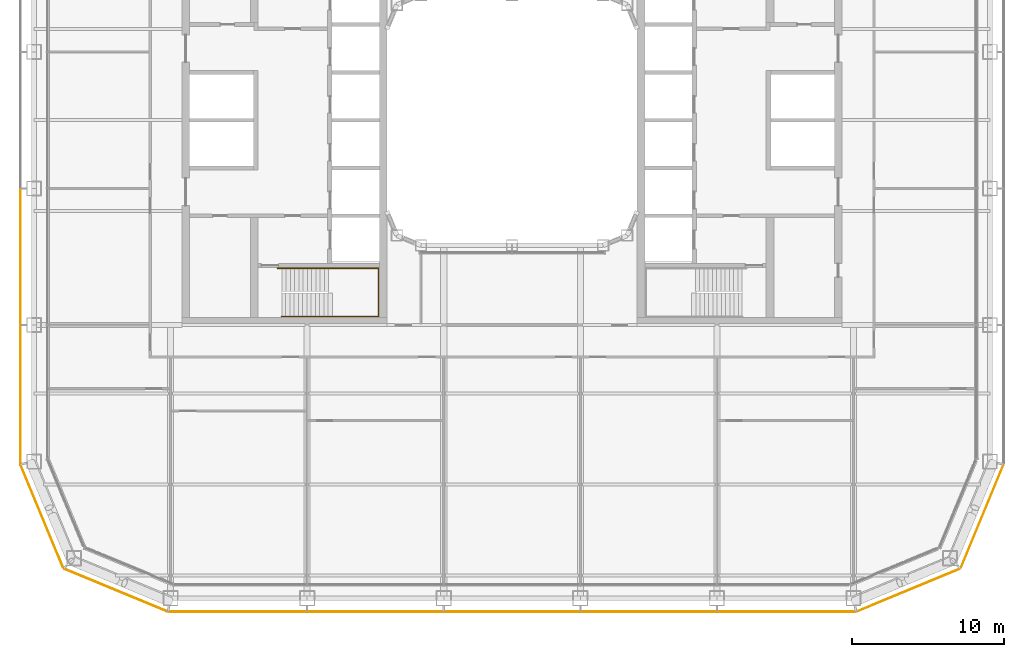
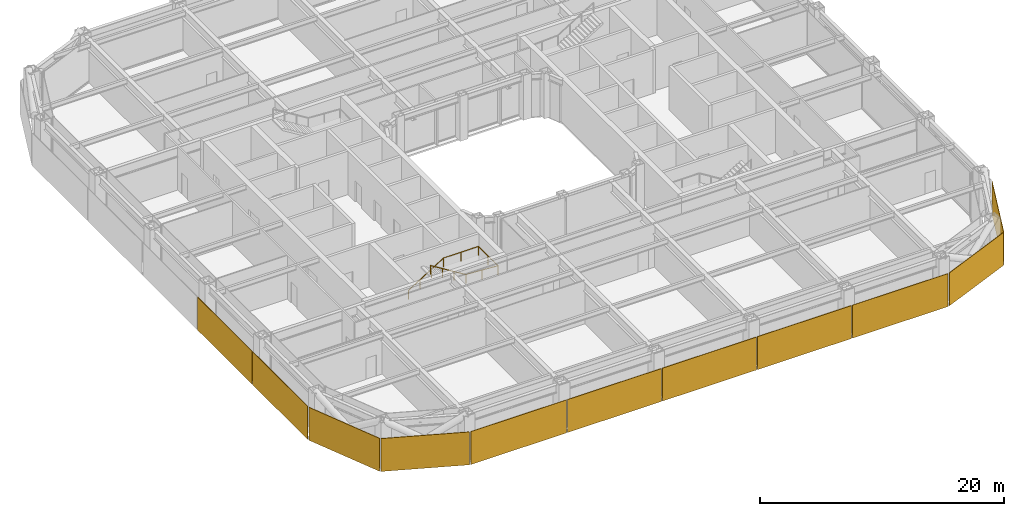
# One storey, part 21 of 25: 11 coverings, 1 railing.
"""IFC4 building model written with IfcOpenShell, lengths in metres."""

from ifc_helpers import new_model, si_unit, direction, frame, origin, origin_2d, place, context, subcontext, project, spatial, rectangle, circle, extrude, material, layer, layer_set, type_object, element, save


model = new_model("IFC4")

# Units and contexts
model_context = context("Model", 3, precision=1e-05, world=origin(), true_north=direction((0.0, 1.0)))
body_context = subcontext(model_context, "Body", "Model", "MODEL_VIEW")
ifc_project = project(units=[si_unit("LENGTHUNIT", "METRE"), si_unit("AREAUNIT", "SQUARE_METRE"), si_unit("VOLUMEUNIT", "CUBIC_METRE"), si_unit("PLANEANGLEUNIT", "RADIAN"), si_unit("MASSUNIT", "GRAM", prefix="KILO")], contexts=[model_context])

# Site, building, storey
site_placement = place(None, origin())
site = spatial("IfcSite", under=ifc_project, at=site_placement, CompositionType="ELEMENT")
building_placement = place(site_placement, origin())
building = spatial("IfcBuilding", under=site, at=building_placement, Name="Siwar Civic Tower", CompositionType="ELEMENT")
storey_placement = place(building_placement, frame((0.0, 0.0, 58.199951171875)))
storey = spatial("IfcBuildingStorey", under=building, at=storey_placement, Name="L12", CompositionType="ELEMENT", Elevation=58.199951171875)

# Railing
ifc_material_1 = material(Name="Stainless steel", Category="steel")
railing_type = type_object("IfcRailingType", Name="CORE-STAIR-HANDRAIL", PredefinedType="HANDRAIL", material=ifc_material_1)
railing_placement = place(storey_placement, frame((-15.449951171875, -9.758056640625, 0.173095703125)))
element("IfcRailing", 1, at=railing_placement, inside=storey, type_object=railing_type, Name="Stair handrail ST2", PredefinedType="HANDRAIL", context=body_context, shape_type="SweptSolid", body=[
    extrude(circle(Radius=0.02001953125, at=origin_2d()), frame((0.0, 0.0, 0.8798828125), z_axis=(0.847063342986, 0.0, 0.531491950051), x_axis=(0.0, 1.0, 0.0)), (0.0, 0.0, 1.0), 3.90771484375),
    extrude(circle(Radius=0.02001953125, at=origin_2d()), frame((3.31005859375, 0.0, 2.956787109375), z_axis=(1.0, 0.0, 0.0), x_axis=(0.0, 1.0, 0.0)), (0.0, 0.0, 1.0), 3.331787109375),
    extrude(circle(Radius=0.02001953125, at=origin_2d()), frame((6.641845703125, 0.0, 2.956787109375), z_axis=(0.0, -1.0, 0.0), x_axis=(1.0, 0.0, 0.0)), (0.0, 0.0, 1.0), 3.183837890625),
    extrude(circle(Radius=0.02001953125, at=origin_2d()), frame((6.641845703125, -3.183837890625, 2.956787109375), z_axis=(-0.99837434197, 0.0, 0.056997134106), x_axis=(0.0, -1.0, 0.0)), (0.0, 0.0, 1.0), 3.036865234375),
    extrude(circle(Radius=0.02001953125, at=origin_2d()), frame((3.60986328125, -3.183837890625, 3.1298828125), z_axis=(-0.850606129759, 0.0, 0.525803396734), x_axis=(0.0, -1.0, 0.0)), (0.0, 0.0, 1.0), 3.949951171875),
    extrude(circle(Radius=0.02001953125, at=origin_2d()), origin(), (0.0, 0.0, 1.0), 0.85986328125),
    extrude(circle(Radius=0.02001953125, at=origin_2d()), frame((1.103271484375, 0.0, 0.6923828125)), (0.0, 0.0, 1.0), 0.85986328125),
    extrude(circle(Radius=0.02001953125, at=origin_2d()), frame((2.206787109375, 0.0, 1.384521484375)), (0.0, 0.0, 1.0), 0.85986328125),
    extrude(circle(Radius=0.02001953125, at=origin_2d()), frame((3.31005859375, 0.0, 2.076904296875)), (0.0, 0.0, 1.0), 0.85986328125),
    extrude(circle(Radius=0.02001953125, at=origin_2d()), frame((4.97607421875, 0.0, 2.076904296875)), (0.0, 0.0, 1.0), 0.85986328125),
    extrude(circle(Radius=0.02001953125, at=origin_2d()), frame((6.641845703125, 0.0, 2.076904296875)), (0.0, 0.0, 1.0), 0.85986328125),
    extrude(circle(Radius=0.02001953125, at=origin_2d()), frame((6.641845703125, -1.591796875, 2.076904296875)), (0.0, 0.0, 1.0), 0.85986328125),
    extrude(circle(Radius=0.02001953125, at=origin_2d()), frame((6.641845703125, -3.183837890625, 2.076904296875)), (0.0, 0.0, 1.0), 0.85986328125),
    extrude(circle(Radius=0.02001953125, at=origin_2d()), frame((5.1259765625, -3.183837890625, 2.16357421875)), (0.0, 0.0, 1.0), 0.85986328125),
    extrude(circle(Radius=0.02001953125, at=origin_2d()), frame((3.60986328125, -3.183837890625, 2.25)), (0.0, 0.0, 1.0), 0.85986328125),
    extrude(circle(Radius=0.02001953125, at=origin_2d()), frame((2.489990234375, -3.183837890625, 2.9423828125)), (0.0, 0.0, 1.0), 0.85986328125),
    extrude(circle(Radius=0.02001953125, at=origin_2d()), frame((1.369873046875, -3.183837890625, 3.634521484375)), (0.0, 0.0, 1.0), 0.85986328125),
    extrude(circle(Radius=0.02001953125, at=origin_2d()), frame((0.25, -3.183837890625, 4.326904296875)), (0.0, 0.0, 1.0), 0.85986328125),
])

# Coverings
ifc_material_2 = material(Name="Perforated aluminium cassette, pale metal", Category="aluminium")
ifc_layer_1 = layer(ifc_material_2, 0.044921875)
ifc_layer_set_1 = layer_set([ifc_layer_1], Name="Perforated aluminium cassette, pale metal")
covering_type_1 = type_object("IfcCoveringType", Name="ENV-OUTER SKIN OS-2", PredefinedType="CLADDING", material=ifc_layer_set_1)
covering_1_placement = place(storey_placement, frame((30.976318359375, -26.115966796875, -0.14990234375), z_axis=(0.0, 0.0, 1.0), x_axis=(0.382683432365, 0.923879532511, 0.0)))
element("IfcCovering", 2, at=covering_1_placement, inside=storey, type_object=covering_type_1, Name="OUTER SKIN OS-2 SE2 1", PredefinedType="CLADDING", context=body_context, shape_type="SweptSolid", body=[
    extrude(rectangle(XDim=7.300048828125, YDim=0.044921875, at=origin_2d()), origin(), (0.0, 0.0, 1.0), 3.300048828125),
])
ifc_material_3 = material(Name="Perforated aluminium cassette, pale metal", Category="aluminium")
ifc_layer_2 = layer(ifc_material_3, 0.050048828125)
ifc_layer_set_2 = layer_set([ifc_layer_2], Name="Perforated aluminium cassette, pale metal")
covering_type_2 = type_object("IfcCoveringType", Name="ENV-OUTER SKIN OS-3", PredefinedType="CLADDING", material=ifc_layer_set_2)
covering_2_placement = place(storey_placement, frame((26.115966796875, -30.976318359375, -0.14990234375), z_axis=(0.0, 0.0, 1.0), x_axis=(0.923879532511, 0.382683432365, 0.0)))
element("IfcCovering", 3, at=covering_2_placement, inside=storey, type_object=covering_type_2, Name="OUTER SKIN OS-3 SE1 1", PredefinedType="CLADDING", context=body_context, shape_type="SweptSolid", body=[
    extrude(rectangle(XDim=7.300048828125, YDim=0.050048828125, at=origin_2d()), origin(), (0.0, 0.0, 1.0), 3.300048828125),
])
covering_3_placement = place(storey_placement, frame((-32.39990234375, -9.0, -0.14990234375), z_axis=(0.0, 0.0, 1.0), x_axis=(0.0, -1.0, 0.0)))
element("IfcCovering", 4, at=covering_3_placement, inside=storey, type_object=covering_type_2, Name="OUTER SKIN OS-3 W 4", PredefinedType="CLADDING", context=body_context, shape_type="SweptSolid", body=[
    extrude(rectangle(XDim=8.89990234375, YDim=0.050048828125, at=origin_2d()), origin(), (0.0, 0.0, 1.0), 3.300048828125),
])
covering_4_placement = place(storey_placement, frame((-32.39990234375, -18.07958984375, -0.14990234375), z_axis=(0.0, 0.0, 1.0), x_axis=(0.0, -1.0, 0.0)))
element("IfcCovering", 5, at=covering_4_placement, inside=storey, type_object=covering_type_2, Name="OUTER SKIN OS-3 W 5", PredefinedType="CLADDING", context=body_context, shape_type="SweptSolid", body=[
    extrude(rectangle(XDim=9.05908203125, YDim=0.050048828125, at=origin_2d()), origin(), (0.0, 0.0, 1.0), 3.300048828125),
])
ifc_material_4 = material(Name="Perforated aluminium cassette, pale metal", Category="aluminium")
ifc_layer_3 = layer(ifc_material_4, 0.054931640625)
ifc_layer_set_3 = layer_set([ifc_layer_3], Name="Perforated aluminium cassette, pale metal")
covering_type_3 = type_object("IfcCoveringType", Name="ENV-OUTER SKIN OS-4", PredefinedType="CLADDING", material=ifc_layer_set_3)
covering_5_placement = place(storey_placement, frame((-18.07958984375, -32.39990234375, -0.14990234375), z_axis=(0.0, 0.0, 1.0), x_axis=(1.0, 0.0, 0.0)))
element("IfcCovering", 6, at=covering_5_placement, inside=storey, type_object=covering_type_3, Name="OUTER SKIN OS-4 S 1", PredefinedType="CLADDING", context=body_context, shape_type="SweptSolid", body=[
    extrude(rectangle(XDim=9.05908203125, YDim=0.054931640625, at=origin_2d()), origin(), (0.0, 0.0, 1.0), 3.300048828125),
])
for number, where, z_axis, x_axis, name in (
    (7, (-9.0, -32.39990234375, -0.14990234375), (0.0, 0.0, 1.0), (1.0, 0.0, 0.0), "OUTER SKIN OS-4 S 2"),
    (8, (0.0, -32.39990234375, -0.14990234375), (0.0, 0.0, 1.0), (1.0, 0.0, 0.0), "OUTER SKIN OS-4 S 3"),
    (9, (9.0, -32.39990234375, -0.14990234375), (0.0, 0.0, 1.0), (1.0, 0.0, 0.0), "OUTER SKIN OS-4 S 4"),
):
    element("IfcCovering", number, at=place(storey_placement, frame(where, z_axis=z_axis, x_axis=x_axis)), inside=storey, type_object=covering_type_3, Name=name, PredefinedType="CLADDING", context=body_context, shape_type="SweptSolid", body=[
        extrude(rectangle(XDim=8.89990234375, YDim=0.054931640625, at=origin_2d()), origin(), (0.0, 0.0, 1.0), 3.300048828125),
    ])
covering_6_placement = place(storey_placement, frame((18.07958984375, -32.39990234375, -0.14990234375), z_axis=(0.0, 0.0, 1.0), x_axis=(1.0, 0.0, 0.0)))
element("IfcCovering", 10, at=covering_6_placement, inside=storey, type_object=covering_type_3, Name="OUTER SKIN OS-4 S 5", PredefinedType="CLADDING", context=body_context, shape_type="SweptSolid", body=[
    extrude(rectangle(XDim=9.05908203125, YDim=0.054931640625, at=origin_2d()), origin(), (0.0, 0.0, 1.0), 3.300048828125),
])
for number, where, z_axis, x_axis, name in (
    (11, (-30.976318359375, -26.115966796875, -0.14990234375), (0.0, 0.0, 1.0), (0.382683432365, -0.923879532511, 0.0), "OUTER SKIN OS-4 SW1 1"),
    (12, (-26.115966796875, -30.976318359375, -0.14990234375), (0.0, 0.0, 1.0), (0.923879532511, -0.382683432365, 0.0), "OUTER SKIN OS-4 SW2 1"),
):
    element("IfcCovering", number, at=place(storey_placement, frame(where, z_axis=z_axis, x_axis=x_axis)), inside=storey, type_object=covering_type_3, Name=name, PredefinedType="CLADDING", context=body_context, shape_type="SweptSolid", body=[
        extrude(rectangle(XDim=7.300048828125, YDim=0.054931640625, at=origin_2d()), origin(), (0.0, 0.0, 1.0), 3.300048828125),
    ])

save(model, "model.ifc")
